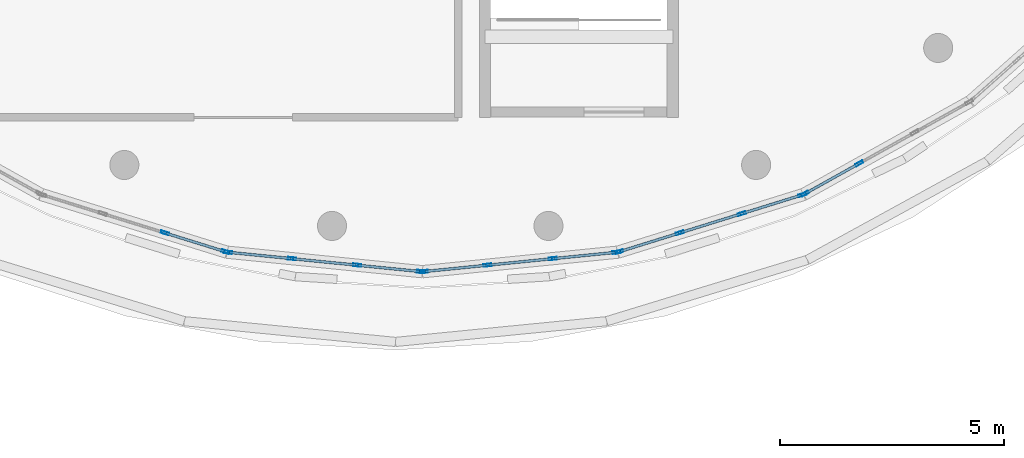
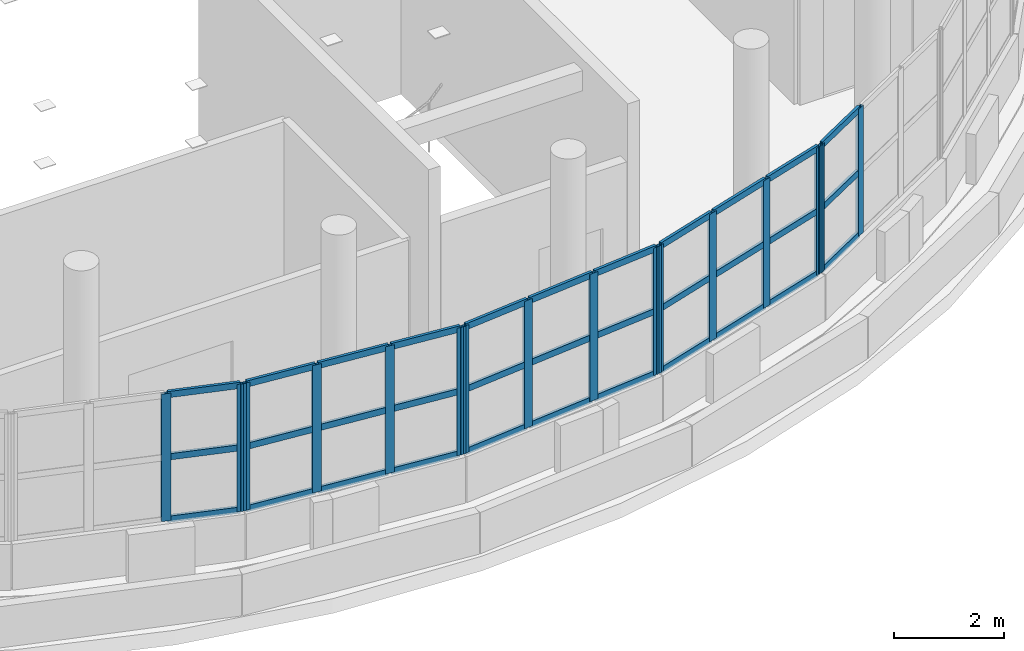
# One storey, part 8 of 105: 49 members, 5 elements without a shape of their own.
"""IFC4 building model written with IfcOpenShell, lengths in metres."""

from ifc_helpers import new_model, si_unit, direction, frame, origin, origin_2d, place, context, subcontext, project, spatial, hollow_rectangle, extrude, material, layer, layer_set, material_profile, profile_set, type_object, element, aggregate, save


model = new_model("IFC4")

# Units and contexts
model_context = context("Model", 3, precision=1e-05, world=origin(), true_north=direction((0.0, 1.0)))
body_context = subcontext(model_context, "Body", "Model", "MODEL_VIEW")
ifc_project = project(units=[si_unit("LENGTHUNIT", "METRE"), si_unit("AREAUNIT", "SQUARE_METRE"), si_unit("VOLUMEUNIT", "CUBIC_METRE"), si_unit("PLANEANGLEUNIT", "RADIAN"), si_unit("MASSUNIT", "GRAM", prefix="KILO")], contexts=[model_context])

# Site, building, storey
site_placement = place(None, origin())
site = spatial("IfcSite", under=ifc_project, at=site_placement, CompositionType="ELEMENT")
building_placement = place(site_placement, origin())
building = spatial("IfcBuilding", under=site, at=building_placement, Name="Pelvatis Terrace Science Centre", CompositionType="ELEMENT")
storey_placement = place(building_placement, frame((0.0, 0.0, 10.199951171875)))
storey = spatial("IfcBuildingStorey", under=building, at=storey_placement, Name="L02", CompositionType="ELEMENT", Elevation=10.199951171875)

# Curtain wall, members
ifc_material_1 = material(Name="Bronze-anodised aluminium and laminated glass", Category="aluminium")
ifc_layer = layer(ifc_material_1, 0.179931640625)
ifc_layer_set = layer_set([ifc_layer], Name="Bronze-anodised aluminium and laminated glass")
curtain_wall_type = type_object("IfcCurtainWallType", Name="CW-RIBBON-A", PredefinedType="NOTDEFINED", material=ifc_layer_set)
curtain_wall_1_placement = place(storey_placement, origin())
curtain_wall_1 = element("IfcCurtainWall", 1, at=curtain_wall_1_placement, inside=storey, type_object=curtain_wall_type, Name="Ribbon curtain wall CW-092 (L02)", PredefinedType="NOTDEFINED")
ifc_material_2 = material(Name="Bronze-anodised aluminium 6063-T6", Category="aluminium")
ifc_material_profile_1 = material_profile(ifc_material_2, hollow_rectangle(XDim=0.06005859375, YDim=0.179931640625, WallThickness=0.00390625, at=origin_2d()), Name="ALU-MUL 60x180")
ifc_profile_set_1 = profile_set([ifc_material_profile_1], Name="Bronze-anodised aluminium 6063-T6")
member_type_1 = type_object("IfcMemberType", Name="CWM-60x180", PredefinedType="MULLION", material=ifc_profile_set_1)
member_1_placement = place(storey_placement, frame((71.843017578125, 37.61767578125, 1.02001953125), z_axis=(0.0, 0.0, 1.0), x_axis=(0.296744161288, 0.954957016175, 0.0)))
member_1 = element("IfcMember", 2, at=member_1_placement, type_object=member_type_1, Name="CW-092 mullion 3", PredefinedType="MULLION", context=body_context, shape_type="SweptSolid", body=[
    extrude(hollow_rectangle(XDim=0.06005859375, YDim=0.179931640625, WallThickness=0.00390625, at=origin_2d()), origin(), (0.0, 0.0, 1.0), 2.840087890625),
])
member_2_placement = place(storey_placement, frame((73.19873046875, 37.1962890625, 1.02001953125), z_axis=(0.0, 0.0, 1.0), x_axis=(0.296744161288, 0.954957016175, 0.0)))
member_2 = element("IfcMember", 3, at=member_2_placement, type_object=member_type_1, Name="CW-092 mullion 4", PredefinedType="MULLION", context=body_context, shape_type="SweptSolid", body=[
    extrude(hollow_rectangle(XDim=0.06005859375, YDim=0.179931640625, WallThickness=0.00390625, at=origin_2d()), origin(), (0.0, 0.0, 1.0), 2.840087890625),
])

curtain_wall_2_placement = place(storey_placement, origin())
curtain_wall_2 = element("IfcCurtainWall", 4, at=curtain_wall_2_placement, inside=storey, type_object=curtain_wall_type, Name="Ribbon curtain wall CW-093 (L02)", PredefinedType="NOTDEFINED")
member_3_placement = place(storey_placement, frame((73.25732421875, 37.1845703125, 1.02001953125), z_axis=(0.0, 0.0, 1.0), x_axis=(0.099560047039, 0.995031555798, 0.0)))
member_3 = element("IfcMember", 5, at=member_3_placement, type_object=member_type_1, Name="CW-093 mullion 1", PredefinedType="MULLION", context=body_context, shape_type="SweptSolid", body=[
    extrude(hollow_rectangle(XDim=0.06005859375, YDim=0.179931640625, WallThickness=0.00390625, at=origin_2d()), origin(), (0.0, 0.0, 1.0), 2.840087890625),
])
member_4_placement = place(storey_placement, frame((74.68505859375, 37.041748046875, 1.02001953125), z_axis=(0.0, 0.0, 1.0), x_axis=(0.099560047039, 0.995031555798, 0.0)))
member_4 = element("IfcMember", 6, at=member_4_placement, type_object=member_type_1, Name="CW-093 mullion 2", PredefinedType="MULLION", context=body_context, shape_type="SweptSolid", body=[
    extrude(hollow_rectangle(XDim=0.06005859375, YDim=0.179931640625, WallThickness=0.00390625, at=origin_2d()), origin(), (0.0, 0.0, 1.0), 2.840087890625),
])
member_5_placement = place(storey_placement, frame((76.142578125, 36.895751953125, 1.02001953125), z_axis=(0.0, 0.0, 1.0), x_axis=(0.099560047039, 0.995031555798, 0.0)))
member_5 = element("IfcMember", 7, at=member_5_placement, type_object=member_type_1, Name="CW-093 mullion 3", PredefinedType="MULLION", context=body_context, shape_type="SweptSolid", body=[
    extrude(hollow_rectangle(XDim=0.06005859375, YDim=0.179931640625, WallThickness=0.00390625, at=origin_2d()), origin(), (0.0, 0.0, 1.0), 2.840087890625),
])
member_6_placement = place(storey_placement, frame((77.570068359375, 36.7529296875, 1.02001953125), z_axis=(0.0, 0.0, 1.0), x_axis=(0.099560047039, 0.995031555798, 0.0)))
member_6 = element("IfcMember", 8, at=member_6_placement, type_object=member_type_1, Name="CW-093 mullion 4", PredefinedType="MULLION", context=body_context, shape_type="SweptSolid", body=[
    extrude(hollow_rectangle(XDim=0.06005859375, YDim=0.179931640625, WallThickness=0.00390625, at=origin_2d()), origin(), (0.0, 0.0, 1.0), 2.840087890625),
])

curtain_wall_3_placement = place(storey_placement, origin())
curtain_wall_3 = element("IfcCurtainWall", 9, at=curtain_wall_3_placement, inside=storey, type_object=curtain_wall_type, Name="Ribbon curtain wall CW-094 (L02)", PredefinedType="NOTDEFINED")
member_7_placement = place(storey_placement, frame((77.6298828125, 36.7529296875, 1.02001953125), z_axis=(0.0, 0.0, 1.0), x_axis=(-0.099560047039, 0.995031555798, 0.0)))
member_7 = element("IfcMember", 10, at=member_7_placement, type_object=member_type_1, Name="CW-094 mullion 1", PredefinedType="MULLION", context=body_context, shape_type="SweptSolid", body=[
    extrude(hollow_rectangle(XDim=0.06005859375, YDim=0.179931640625, WallThickness=0.00390625, at=origin_2d()), origin(), (0.0, 0.0, 1.0), 2.840087890625),
])
member_8_placement = place(storey_placement, frame((79.0576171875, 36.895751953125, 1.02001953125), z_axis=(0.0, 0.0, 1.0), x_axis=(-0.099560047039, 0.995031555798, 0.0)))
member_8 = element("IfcMember", 11, at=member_8_placement, type_object=member_type_1, Name="CW-094 mullion 2", PredefinedType="MULLION", context=body_context, shape_type="SweptSolid", body=[
    extrude(hollow_rectangle(XDim=0.06005859375, YDim=0.179931640625, WallThickness=0.00390625, at=origin_2d()), origin(), (0.0, 0.0, 1.0), 2.840087890625),
])
member_9_placement = place(storey_placement, frame((80.514892578125, 37.041748046875, 1.02001953125), z_axis=(0.0, 0.0, 1.0), x_axis=(-0.099560047039, 0.995031555798, 0.0)))
member_9 = element("IfcMember", 12, at=member_9_placement, type_object=member_type_1, Name="CW-094 mullion 3", PredefinedType="MULLION", context=body_context, shape_type="SweptSolid", body=[
    extrude(hollow_rectangle(XDim=0.06005859375, YDim=0.179931640625, WallThickness=0.00390625, at=origin_2d()), origin(), (0.0, 0.0, 1.0), 2.840087890625),
])
member_10_placement = place(storey_placement, frame((81.942626953125, 37.1845703125, 1.02001953125), z_axis=(0.0, 0.0, 1.0), x_axis=(-0.099560047039, 0.995031555798, 0.0)))
member_10 = element("IfcMember", 13, at=member_10_placement, type_object=member_type_1, Name="CW-094 mullion 4", PredefinedType="MULLION", context=body_context, shape_type="SweptSolid", body=[
    extrude(hollow_rectangle(XDim=0.06005859375, YDim=0.179931640625, WallThickness=0.00390625, at=origin_2d()), origin(), (0.0, 0.0, 1.0), 2.840087890625),
])

curtain_wall_4_placement = place(storey_placement, origin())
curtain_wall_4 = element("IfcCurtainWall", 14, at=curtain_wall_4_placement, inside=storey, type_object=curtain_wall_type, Name="Ribbon curtain wall CW-095 (L02)", PredefinedType="NOTDEFINED")
member_11_placement = place(storey_placement, frame((82.001220703125, 37.1962890625, 1.02001953125), z_axis=(0.0, 0.0, 1.0), x_axis=(-0.296744161288, 0.954957016175, 0.0)))
member_11 = element("IfcMember", 15, at=member_11_placement, type_object=member_type_1, Name="CW-095 mullion 1", PredefinedType="MULLION", context=body_context, shape_type="SweptSolid", body=[
    extrude(hollow_rectangle(XDim=0.06005859375, YDim=0.179931640625, WallThickness=0.00390625, at=origin_2d()), origin(), (0.0, 0.0, 1.0), 2.840087890625),
])
member_12_placement = place(storey_placement, frame((83.35693359375, 37.61767578125, 1.02001953125), z_axis=(0.0, 0.0, 1.0), x_axis=(-0.296744161288, 0.954957016175, 0.0)))
member_12 = element("IfcMember", 16, at=member_12_placement, type_object=member_type_1, Name="CW-095 mullion 2", PredefinedType="MULLION", context=body_context, shape_type="SweptSolid", body=[
    extrude(hollow_rectangle(XDim=0.06005859375, YDim=0.179931640625, WallThickness=0.00390625, at=origin_2d()), origin(), (0.0, 0.0, 1.0), 2.840087890625),
])
member_13_placement = place(storey_placement, frame((84.741455078125, 38.0478515625, 1.02001953125), z_axis=(0.0, 0.0, 1.0), x_axis=(-0.296744161288, 0.954957016175, 0.0)))
member_13 = element("IfcMember", 17, at=member_13_placement, type_object=member_type_1, Name="CW-095 mullion 3", PredefinedType="MULLION", context=body_context, shape_type="SweptSolid", body=[
    extrude(hollow_rectangle(XDim=0.06005859375, YDim=0.179931640625, WallThickness=0.00390625, at=origin_2d()), origin(), (0.0, 0.0, 1.0), 2.840087890625),
])
member_14_placement = place(storey_placement, frame((86.09716796875, 38.46923828125, 1.02001953125), z_axis=(0.0, 0.0, 1.0), x_axis=(-0.296744161288, 0.954957016175, 0.0)))
member_14 = element("IfcMember", 18, at=member_14_placement, type_object=member_type_1, Name="CW-095 mullion 4", PredefinedType="MULLION", context=body_context, shape_type="SweptSolid", body=[
    extrude(hollow_rectangle(XDim=0.06005859375, YDim=0.179931640625, WallThickness=0.00390625, at=origin_2d()), origin(), (0.0, 0.0, 1.0), 2.840087890625),
])

curtain_wall_5_placement = place(storey_placement, origin())
curtain_wall_5 = element("IfcCurtainWall", 19, at=curtain_wall_5_placement, inside=storey, type_object=curtain_wall_type, Name="Ribbon curtain wall CW-096 (L02)", PredefinedType="NOTDEFINED")
member_15_placement = place(storey_placement, frame((86.152099609375, 38.49267578125, 1.02001953125), z_axis=(0.0, 0.0, 1.0), x_axis=(-0.487256020167, 0.87325916589, 0.0)))
member_15 = element("IfcMember", 20, at=member_15_placement, type_object=member_type_1, Name="CW-096 mullion 1", PredefinedType="MULLION", context=body_context, shape_type="SweptSolid", body=[
    extrude(hollow_rectangle(XDim=0.06005859375, YDim=0.179931640625, WallThickness=0.00390625, at=origin_2d()), origin(), (0.0, 0.0, 1.0), 2.840087890625),
])
member_16_placement = place(storey_placement, frame((87.36767578125, 39.171142578125, 1.02001953125), z_axis=(0.0, 0.0, 1.0), x_axis=(-0.487256020167, 0.87325916589, 0.0)))
member_16 = element("IfcMember", 21, at=member_16_placement, type_object=member_type_1, Name="CW-096 mullion 2", PredefinedType="MULLION", context=body_context, shape_type="SweptSolid", body=[
    extrude(hollow_rectangle(XDim=0.06005859375, YDim=0.179931640625, WallThickness=0.00390625, at=origin_2d()), origin(), (0.0, 0.0, 1.0), 2.840087890625),
])

# Member
ifc_material_3 = material(Name="Bronze-anodised aluminium 6063-T6", Category="aluminium")
ifc_material_profile_2 = material_profile(ifc_material_3, hollow_rectangle(XDim=0.06005859375, YDim=0.139892578125, WallThickness=0.00390625, at=origin_2d()), Name="ALU-TRN 60x140")
ifc_profile_set_2 = profile_set([ifc_material_profile_2], Name="Bronze-anodised aluminium 6063-T6")
member_type_2 = type_object("IfcMemberType", Name="CWT-60x140", PredefinedType="USERDEFINED", material=ifc_profile_set_2)
member_17_placement = place(storey_placement, frame((71.871826171875, 37.60888671875, 1.050048828125), z_axis=(0.954932581782, -0.296822782566, 0.0), x_axis=(0.296822782566, 0.954932581782, 0.0)))
member_17 = element("IfcMember", 22, at=member_17_placement, type_object=member_type_2, Name="CW-092 transom 3.1", ObjectType="TRANSOM", PredefinedType="USERDEFINED", context=body_context, shape_type="SweptSolid", body=[
    extrude(hollow_rectangle(XDim=0.06005859375, YDim=0.139892578125, WallThickness=0.00390625, at=origin_2d()), origin(), (0.0, 0.0, 1.0), 1.359619140625),
])

member_18_placement = place(storey_placement, frame((71.871826171875, 37.60888671875, 2.43994140625), z_axis=(0.954932581782, -0.296822782566, 0.0), x_axis=(0.296822782566, 0.954932581782, 0.0)))
member_18 = element("IfcMember", 23, at=member_18_placement, type_object=member_type_2, Name="CW-092 transom 3.2", ObjectType="TRANSOM", PredefinedType="USERDEFINED", context=body_context, shape_type="SweptSolid", body=[
    extrude(hollow_rectangle(XDim=0.06005859375, YDim=0.139892578125, WallThickness=0.00390625, at=origin_2d()), origin(), (0.0, 0.0, 1.0), 1.359619140625),
])

member_19_placement = place(storey_placement, frame((71.871826171875, 37.60888671875, 3.830078125), z_axis=(0.954932581782, -0.296822782566, 0.0), x_axis=(0.296822782566, 0.954932581782, 0.0)))
member_19 = element("IfcMember", 24, at=member_19_placement, type_object=member_type_2, Name="CW-092 transom 3.3", ObjectType="TRANSOM", PredefinedType="USERDEFINED", context=body_context, shape_type="SweptSolid", body=[
    extrude(hollow_rectangle(XDim=0.06005859375, YDim=0.139892578125, WallThickness=0.00390625, at=origin_2d()), origin(), (0.0, 0.0, 1.0), 1.359619140625),
])

aggregate(curtain_wall_1, [member_1, member_2, member_17, member_18, member_19])

member_20_placement = place(storey_placement, frame((73.287109375, 37.181640625, 1.050048828125), z_axis=(0.995024874527, -0.099626798967, 0.0), x_axis=(0.099626798967, 0.995024874527, 0.0)))
member_20 = element("IfcMember", 25, at=member_20_placement, type_object=member_type_2, Name="CW-093 transom 1.1", ObjectType="TRANSOM", PredefinedType="USERDEFINED", context=body_context, shape_type="SweptSolid", body=[
    extrude(hollow_rectangle(XDim=0.06005859375, YDim=0.139892578125, WallThickness=0.00390625, at=origin_2d()), origin(), (0.0, 0.0, 1.0), 1.374755859375),
])

member_21_placement = place(storey_placement, frame((73.287109375, 37.181640625, 2.43994140625), z_axis=(0.995024874527, -0.099626798967, 0.0), x_axis=(0.099626798967, 0.995024874527, 0.0)))
member_21 = element("IfcMember", 26, at=member_21_placement, type_object=member_type_2, Name="CW-093 transom 1.2", ObjectType="TRANSOM", PredefinedType="USERDEFINED", context=body_context, shape_type="SweptSolid", body=[
    extrude(hollow_rectangle(XDim=0.06005859375, YDim=0.139892578125, WallThickness=0.00390625, at=origin_2d()), origin(), (0.0, 0.0, 1.0), 1.374755859375),
])

member_22_placement = place(storey_placement, frame((73.287109375, 37.181640625, 3.830078125), z_axis=(0.995024874527, -0.099626798967, 0.0), x_axis=(0.099626798967, 0.995024874527, 0.0)))
member_22 = element("IfcMember", 27, at=member_22_placement, type_object=member_type_2, Name="CW-093 transom 1.3", ObjectType="TRANSOM", PredefinedType="USERDEFINED", context=body_context, shape_type="SweptSolid", body=[
    extrude(hollow_rectangle(XDim=0.06005859375, YDim=0.139892578125, WallThickness=0.00390625, at=origin_2d()), origin(), (0.0, 0.0, 1.0), 1.374755859375),
])

member_23_placement = place(storey_placement, frame((74.71484375, 37.03857421875, 1.050048828125), z_axis=(0.995045790803, -0.099417675518, 0.0), x_axis=(0.099417675518, 0.995045790803, 0.0)))
member_23 = element("IfcMember", 28, at=member_23_placement, type_object=member_type_2, Name="CW-093 transom 2.1", ObjectType="TRANSOM", PredefinedType="USERDEFINED", context=body_context, shape_type="SweptSolid", body=[
    extrude(hollow_rectangle(XDim=0.06005859375, YDim=0.139892578125, WallThickness=0.00390625, at=origin_2d()), origin(), (0.0, 0.0, 1.0), 1.40478515625),
])

member_24_placement = place(storey_placement, frame((74.71484375, 37.03857421875, 2.43994140625), z_axis=(0.995045790803, -0.099417675518, 0.0), x_axis=(0.099417675518, 0.995045790803, 0.0)))
member_24 = element("IfcMember", 29, at=member_24_placement, type_object=member_type_2, Name="CW-093 transom 2.2", ObjectType="TRANSOM", PredefinedType="USERDEFINED", context=body_context, shape_type="SweptSolid", body=[
    extrude(hollow_rectangle(XDim=0.06005859375, YDim=0.139892578125, WallThickness=0.00390625, at=origin_2d()), origin(), (0.0, 0.0, 1.0), 1.40478515625),
])

member_25_placement = place(storey_placement, frame((74.71484375, 37.03857421875, 3.830078125), z_axis=(0.995045790803, -0.099417675518, 0.0), x_axis=(0.099417675518, 0.995045790803, 0.0)))
member_25 = element("IfcMember", 30, at=member_25_placement, type_object=member_type_2, Name="CW-093 transom 2.3", ObjectType="TRANSOM", PredefinedType="USERDEFINED", context=body_context, shape_type="SweptSolid", body=[
    extrude(hollow_rectangle(XDim=0.06005859375, YDim=0.139892578125, WallThickness=0.00390625, at=origin_2d()), origin(), (0.0, 0.0, 1.0), 1.40478515625),
])

member_26_placement = place(storey_placement, frame((76.17236328125, 36.892822265625, 1.050048828125), z_axis=(0.995024874527, -0.099626798967, 0.0), x_axis=(0.099626798967, 0.995024874527, 0.0)))
member_26 = element("IfcMember", 31, at=member_26_placement, type_object=member_type_2, Name="CW-093 transom 3.1", ObjectType="TRANSOM", PredefinedType="USERDEFINED", context=body_context, shape_type="SweptSolid", body=[
    extrude(hollow_rectangle(XDim=0.06005859375, YDim=0.139892578125, WallThickness=0.00390625, at=origin_2d()), origin(), (0.0, 0.0, 1.0), 1.374755859375),
])

member_27_placement = place(storey_placement, frame((76.17236328125, 36.892822265625, 2.43994140625), z_axis=(0.995024874527, -0.099626798967, 0.0), x_axis=(0.099626798967, 0.995024874527, 0.0)))
member_27 = element("IfcMember", 32, at=member_27_placement, type_object=member_type_2, Name="CW-093 transom 3.2", ObjectType="TRANSOM", PredefinedType="USERDEFINED", context=body_context, shape_type="SweptSolid", body=[
    extrude(hollow_rectangle(XDim=0.06005859375, YDim=0.139892578125, WallThickness=0.00390625, at=origin_2d()), origin(), (0.0, 0.0, 1.0), 1.374755859375),
])

member_28_placement = place(storey_placement, frame((76.17236328125, 36.892822265625, 3.830078125), z_axis=(0.995024874527, -0.099626798967, 0.0), x_axis=(0.099626798967, 0.995024874527, 0.0)))
member_28 = element("IfcMember", 33, at=member_28_placement, type_object=member_type_2, Name="CW-093 transom 3.3", ObjectType="TRANSOM", PredefinedType="USERDEFINED", context=body_context, shape_type="SweptSolid", body=[
    extrude(hollow_rectangle(XDim=0.06005859375, YDim=0.139892578125, WallThickness=0.00390625, at=origin_2d()), origin(), (0.0, 0.0, 1.0), 1.374755859375),
])

aggregate(curtain_wall_2, [member_3, member_4, member_5, member_6, member_20, member_21, member_22, member_23, member_24, member_25, member_26, member_27, member_28])

member_29_placement = place(storey_placement, frame((77.65966796875, 36.755859375, 1.050048828125), z_axis=(0.995024874527, 0.099626798967, 0.0), x_axis=(-0.099626798967, 0.995024874527, 0.0)))
member_29 = element("IfcMember", 34, at=member_29_placement, type_object=member_type_2, Name="CW-094 transom 1.1", ObjectType="TRANSOM", PredefinedType="USERDEFINED", context=body_context, shape_type="SweptSolid", body=[
    extrude(hollow_rectangle(XDim=0.06005859375, YDim=0.139892578125, WallThickness=0.00390625, at=origin_2d()), origin(), (0.0, 0.0, 1.0), 1.374755859375),
])

member_30_placement = place(storey_placement, frame((77.65966796875, 36.755859375, 2.43994140625), z_axis=(0.995024874527, 0.099626798967, 0.0), x_axis=(-0.099626798967, 0.995024874527, 0.0)))
member_30 = element("IfcMember", 35, at=member_30_placement, type_object=member_type_2, Name="CW-094 transom 1.2", ObjectType="TRANSOM", PredefinedType="USERDEFINED", context=body_context, shape_type="SweptSolid", body=[
    extrude(hollow_rectangle(XDim=0.06005859375, YDim=0.139892578125, WallThickness=0.00390625, at=origin_2d()), origin(), (0.0, 0.0, 1.0), 1.374755859375),
])

member_31_placement = place(storey_placement, frame((77.65966796875, 36.755859375, 3.830078125), z_axis=(0.995024874527, 0.099626798967, 0.0), x_axis=(-0.099626798967, 0.995024874527, 0.0)))
member_31 = element("IfcMember", 36, at=member_31_placement, type_object=member_type_2, Name="CW-094 transom 1.3", ObjectType="TRANSOM", PredefinedType="USERDEFINED", context=body_context, shape_type="SweptSolid", body=[
    extrude(hollow_rectangle(XDim=0.06005859375, YDim=0.139892578125, WallThickness=0.00390625, at=origin_2d()), origin(), (0.0, 0.0, 1.0), 1.374755859375),
])

member_32_placement = place(storey_placement, frame((79.08740234375, 36.89892578125, 1.050048828125), z_axis=(0.995045790803, 0.099417675518, 0.0), x_axis=(-0.099417675518, 0.995045790803, 0.0)))
member_32 = element("IfcMember", 37, at=member_32_placement, type_object=member_type_2, Name="CW-094 transom 2.1", ObjectType="TRANSOM", PredefinedType="USERDEFINED", context=body_context, shape_type="SweptSolid", body=[
    extrude(hollow_rectangle(XDim=0.06005859375, YDim=0.139892578125, WallThickness=0.00390625, at=origin_2d()), origin(), (0.0, 0.0, 1.0), 1.40478515625),
])

member_33_placement = place(storey_placement, frame((79.08740234375, 36.89892578125, 2.43994140625), z_axis=(0.995045790803, 0.099417675518, 0.0), x_axis=(-0.099417675518, 0.995045790803, 0.0)))
member_33 = element("IfcMember", 38, at=member_33_placement, type_object=member_type_2, Name="CW-094 transom 2.2", ObjectType="TRANSOM", PredefinedType="USERDEFINED", context=body_context, shape_type="SweptSolid", body=[
    extrude(hollow_rectangle(XDim=0.06005859375, YDim=0.139892578125, WallThickness=0.00390625, at=origin_2d()), origin(), (0.0, 0.0, 1.0), 1.40478515625),
])

member_34_placement = place(storey_placement, frame((79.08740234375, 36.89892578125, 3.830078125), z_axis=(0.995045790803, 0.099417675518, 0.0), x_axis=(-0.099417675518, 0.995045790803, 0.0)))
member_34 = element("IfcMember", 39, at=member_34_placement, type_object=member_type_2, Name="CW-094 transom 2.3", ObjectType="TRANSOM", PredefinedType="USERDEFINED", context=body_context, shape_type="SweptSolid", body=[
    extrude(hollow_rectangle(XDim=0.06005859375, YDim=0.139892578125, WallThickness=0.00390625, at=origin_2d()), origin(), (0.0, 0.0, 1.0), 1.40478515625),
])

member_35_placement = place(storey_placement, frame((80.544921875, 37.044677734375, 1.050048828125), z_axis=(0.995024874527, 0.099626798967, 0.0), x_axis=(-0.099626798967, 0.995024874527, 0.0)))
member_35 = element("IfcMember", 40, at=member_35_placement, type_object=member_type_2, Name="CW-094 transom 3.1", ObjectType="TRANSOM", PredefinedType="USERDEFINED", context=body_context, shape_type="SweptSolid", body=[
    extrude(hollow_rectangle(XDim=0.06005859375, YDim=0.139892578125, WallThickness=0.00390625, at=origin_2d()), origin(), (0.0, 0.0, 1.0), 1.374755859375),
])

member_36_placement = place(storey_placement, frame((80.544921875, 37.044677734375, 2.43994140625), z_axis=(0.995024874527, 0.099626798967, 0.0), x_axis=(-0.099626798967, 0.995024874527, 0.0)))
member_36 = element("IfcMember", 41, at=member_36_placement, type_object=member_type_2, Name="CW-094 transom 3.2", ObjectType="TRANSOM", PredefinedType="USERDEFINED", context=body_context, shape_type="SweptSolid", body=[
    extrude(hollow_rectangle(XDim=0.06005859375, YDim=0.139892578125, WallThickness=0.00390625, at=origin_2d()), origin(), (0.0, 0.0, 1.0), 1.374755859375),
])

member_37_placement = place(storey_placement, frame((80.544921875, 37.044677734375, 3.830078125), z_axis=(0.995024874527, 0.099626798967, 0.0), x_axis=(-0.099626798967, 0.995024874527, 0.0)))
member_37 = element("IfcMember", 42, at=member_37_placement, type_object=member_type_2, Name="CW-094 transom 3.3", ObjectType="TRANSOM", PredefinedType="USERDEFINED", context=body_context, shape_type="SweptSolid", body=[
    extrude(hollow_rectangle(XDim=0.06005859375, YDim=0.139892578125, WallThickness=0.00390625, at=origin_2d()), origin(), (0.0, 0.0, 1.0), 1.374755859375),
])

aggregate(curtain_wall_3, [member_7, member_8, member_9, member_10, member_29, member_30, member_31, member_32, member_33, member_34, member_35, member_36, member_37])

member_38_placement = place(storey_placement, frame((82.02978515625, 37.205322265625, 1.050048828125), z_axis=(0.954948398165, 0.29677189362, 0.0), x_axis=(-0.29677189362, 0.954948398165, 0.0)))
member_38 = element("IfcMember", 43, at=member_38_placement, type_object=member_type_2, Name="CW-095 transom 1.1", ObjectType="TRANSOM", PredefinedType="USERDEFINED", context=body_context, shape_type="SweptSolid", body=[
    extrude(hollow_rectangle(XDim=0.06005859375, YDim=0.139892578125, WallThickness=0.00390625, at=origin_2d()), origin(), (0.0, 0.0, 1.0), 1.35986328125),
])

member_39_placement = place(storey_placement, frame((82.02978515625, 37.205322265625, 2.43994140625), z_axis=(0.954948398165, 0.29677189362, 0.0), x_axis=(-0.29677189362, 0.954948398165, 0.0)))
member_39 = element("IfcMember", 44, at=member_39_placement, type_object=member_type_2, Name="CW-095 transom 1.2", ObjectType="TRANSOM", PredefinedType="USERDEFINED", context=body_context, shape_type="SweptSolid", body=[
    extrude(hollow_rectangle(XDim=0.06005859375, YDim=0.139892578125, WallThickness=0.00390625, at=origin_2d()), origin(), (0.0, 0.0, 1.0), 1.35986328125),
])

member_40_placement = place(storey_placement, frame((82.02978515625, 37.205322265625, 3.830078125), z_axis=(0.954948398165, 0.29677189362, 0.0), x_axis=(-0.29677189362, 0.954948398165, 0.0)))
member_40 = element("IfcMember", 45, at=member_40_placement, type_object=member_type_2, Name="CW-095 transom 1.3", ObjectType="TRANSOM", PredefinedType="USERDEFINED", context=body_context, shape_type="SweptSolid", body=[
    extrude(hollow_rectangle(XDim=0.06005859375, YDim=0.139892578125, WallThickness=0.00390625, at=origin_2d()), origin(), (0.0, 0.0, 1.0), 1.35986328125),
])

member_41_placement = place(storey_placement, frame((83.385498046875, 37.626708984375, 1.050048828125), z_axis=(0.954966339764, 0.296714155236, 0.0), x_axis=(-0.296714155236, 0.954966339764, 0.0)))
member_41 = element("IfcMember", 46, at=member_41_placement, type_object=member_type_2, Name="CW-095 transom 2.1", ObjectType="TRANSOM", PredefinedType="USERDEFINED", context=body_context, shape_type="SweptSolid", body=[
    extrude(hollow_rectangle(XDim=0.06005859375, YDim=0.139892578125, WallThickness=0.00390625, at=origin_2d()), origin(), (0.0, 0.0, 1.0), 1.3896484375),
])

member_42_placement = place(storey_placement, frame((83.385498046875, 37.626708984375, 2.43994140625), z_axis=(0.954966339764, 0.296714155236, 0.0), x_axis=(-0.296714155236, 0.954966339764, 0.0)))
member_42 = element("IfcMember", 47, at=member_42_placement, type_object=member_type_2, Name="CW-095 transom 2.2", ObjectType="TRANSOM", PredefinedType="USERDEFINED", context=body_context, shape_type="SweptSolid", body=[
    extrude(hollow_rectangle(XDim=0.06005859375, YDim=0.139892578125, WallThickness=0.00390625, at=origin_2d()), origin(), (0.0, 0.0, 1.0), 1.3896484375),
])

member_43_placement = place(storey_placement, frame((83.385498046875, 37.626708984375, 3.830078125), z_axis=(0.954966339764, 0.296714155236, 0.0), x_axis=(-0.296714155236, 0.954966339764, 0.0)))
member_43 = element("IfcMember", 48, at=member_43_placement, type_object=member_type_2, Name="CW-095 transom 2.3", ObjectType="TRANSOM", PredefinedType="USERDEFINED", context=body_context, shape_type="SweptSolid", body=[
    extrude(hollow_rectangle(XDim=0.06005859375, YDim=0.139892578125, WallThickness=0.00390625, at=origin_2d()), origin(), (0.0, 0.0, 1.0), 1.3896484375),
])

member_44_placement = place(storey_placement, frame((84.77001953125, 38.056884765625, 1.050048828125), z_axis=(0.954999267481, 0.296608157526, 0.0), x_axis=(-0.296608157526, 0.954999267481, 0.0)))
member_44 = element("IfcMember", 49, at=member_44_placement, type_object=member_type_2, Name="CW-095 transom 3.1", ObjectType="TRANSOM", PredefinedType="USERDEFINED", context=body_context, shape_type="SweptSolid", body=[
    extrude(hollow_rectangle(XDim=0.06005859375, YDim=0.139892578125, WallThickness=0.00390625, at=origin_2d()), origin(), (0.0, 0.0, 1.0), 1.35986328125),
])

member_45_placement = place(storey_placement, frame((84.77001953125, 38.056884765625, 2.43994140625), z_axis=(0.954999267481, 0.296608157526, 0.0), x_axis=(-0.296608157526, 0.954999267481, 0.0)))
member_45 = element("IfcMember", 50, at=member_45_placement, type_object=member_type_2, Name="CW-095 transom 3.2", ObjectType="TRANSOM", PredefinedType="USERDEFINED", context=body_context, shape_type="SweptSolid", body=[
    extrude(hollow_rectangle(XDim=0.06005859375, YDim=0.139892578125, WallThickness=0.00390625, at=origin_2d()), origin(), (0.0, 0.0, 1.0), 1.35986328125),
])

member_46_placement = place(storey_placement, frame((84.77001953125, 38.056884765625, 3.830078125), z_axis=(0.954999267481, 0.296608157526, 0.0), x_axis=(-0.296608157526, 0.954999267481, 0.0)))
member_46 = element("IfcMember", 51, at=member_46_placement, type_object=member_type_2, Name="CW-095 transom 3.3", ObjectType="TRANSOM", PredefinedType="USERDEFINED", context=body_context, shape_type="SweptSolid", body=[
    extrude(hollow_rectangle(XDim=0.06005859375, YDim=0.139892578125, WallThickness=0.00390625, at=origin_2d()), origin(), (0.0, 0.0, 1.0), 1.35986328125),
])

aggregate(curtain_wall_4, [member_11, member_12, member_13, member_14, member_38, member_39, member_40, member_41, member_42, member_43, member_44, member_45, member_46])

member_47_placement = place(storey_placement, frame((86.17822265625, 38.50732421875, 1.050048828125), z_axis=(0.873239414346, 0.487291417155, 0.0), x_axis=(-0.487291417155, 0.873239414346, 0.0)))
member_47 = element("IfcMember", 52, at=member_47_placement, type_object=member_type_2, Name="CW-096 transom 1.1", ObjectType="TRANSOM", PredefinedType="USERDEFINED", context=body_context, shape_type="SweptSolid", body=[
    extrude(hollow_rectangle(XDim=0.06005859375, YDim=0.139892578125, WallThickness=0.00390625, at=origin_2d()), origin(), (0.0, 0.0, 1.0), 1.332275390625),
])

member_48_placement = place(storey_placement, frame((86.17822265625, 38.50732421875, 2.43994140625), z_axis=(0.873239414346, 0.487291417155, 0.0), x_axis=(-0.487291417155, 0.873239414346, 0.0)))
member_48 = element("IfcMember", 53, at=member_48_placement, type_object=member_type_2, Name="CW-096 transom 1.2", ObjectType="TRANSOM", PredefinedType="USERDEFINED", context=body_context, shape_type="SweptSolid", body=[
    extrude(hollow_rectangle(XDim=0.06005859375, YDim=0.139892578125, WallThickness=0.00390625, at=origin_2d()), origin(), (0.0, 0.0, 1.0), 1.332275390625),
])

member_49_placement = place(storey_placement, frame((86.17822265625, 38.50732421875, 3.830078125), z_axis=(0.873239414346, 0.487291417155, 0.0), x_axis=(-0.487291417155, 0.873239414346, 0.0)))
member_49 = element("IfcMember", 54, at=member_49_placement, type_object=member_type_2, Name="CW-096 transom 1.3", ObjectType="TRANSOM", PredefinedType="USERDEFINED", context=body_context, shape_type="SweptSolid", body=[
    extrude(hollow_rectangle(XDim=0.06005859375, YDim=0.139892578125, WallThickness=0.00390625, at=origin_2d()), origin(), (0.0, 0.0, 1.0), 1.332275390625),
])

aggregate(curtain_wall_5, [member_15, member_16, member_47, member_48, member_49])

save(model, "model.ifc")
